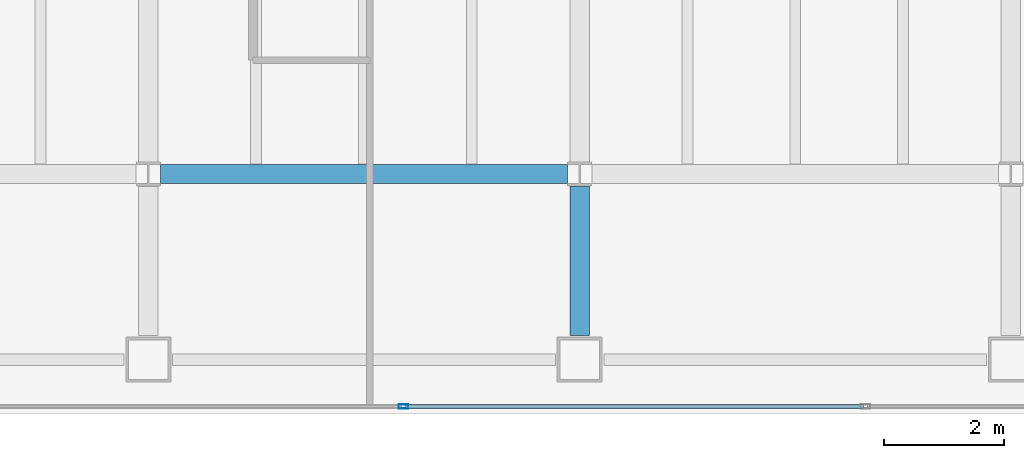
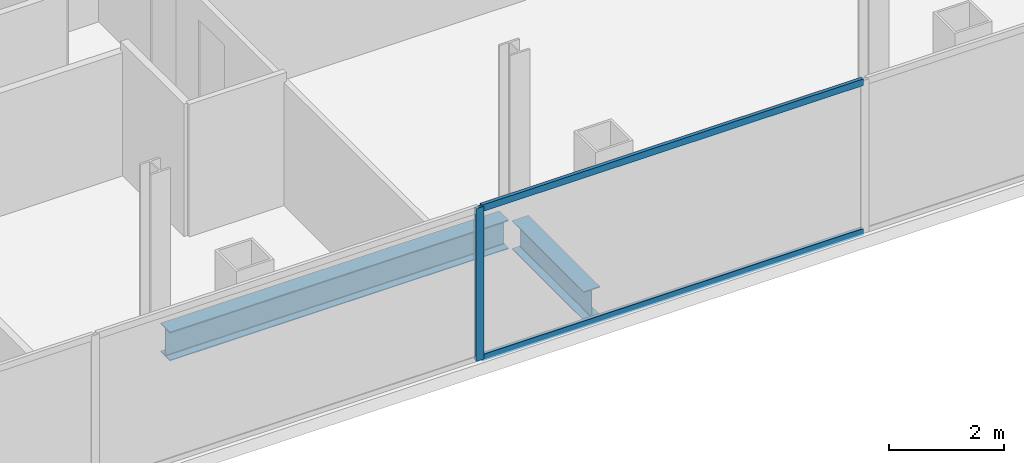
# One storey, part 6 of 23: 3 members, 2 beams, 1 element without a shape of its own.
"""IFC4 building model written with IfcOpenShell, lengths in metres."""

from ifc_helpers import new_model, si_unit, direction, frame, origin, origin_2d, place, context, subcontext, project, spatial, hollow_rectangle, i_section, extrude, material, material_profile, profile_set, type_object, element, aggregate, save


model = new_model("IFC4")

# Units and contexts
model_context = context("Model", 3, precision=1e-05, world=origin(), true_north=direction((0.0, 1.0)))
body_context = subcontext(model_context, "Body", "Model", "MODEL_VIEW")
ifc_project = project(units=[si_unit("LENGTHUNIT", "METRE"), si_unit("AREAUNIT", "SQUARE_METRE"), si_unit("VOLUMEUNIT", "CUBIC_METRE"), si_unit("PLANEANGLEUNIT", "RADIAN"), si_unit("MASSUNIT", "GRAM", prefix="KILO")], contexts=[model_context])

# Site, building, storey
site_placement = place(None, origin())
site = spatial("IfcSite", under=ifc_project, at=site_placement, CompositionType="ELEMENT")
building_placement = place(site_placement, origin())
building = spatial("IfcBuilding", under=site, at=building_placement, Name="Cobrela Telecom Tower", CompositionType="ELEMENT")
storey_placement = place(building_placement, frame((0.0, 0.0, 201.25)))
storey = spatial("IfcBuildingStorey", under=building, at=storey_placement, Name="L51", CompositionType="ELEMENT", Elevation=201.25)

# Beams
ifc_material_1 = material(Name="Steel ASTM A992 Grade 50", Category="steel")
ifc_material_profile_1 = material_profile(ifc_material_1, i_section(OverallWidth=0.324951171875, OverallDepth=0.612060546875, WebThickness=0.0126953125, FlangeThickness=0.01904296875, FilletRadius=0.014892578125, at=origin_2d()), Name="W24X104")
ifc_profile_set_1 = profile_set([ifc_material_profile_1], Name="Steel ASTM A992 Grade 50")
beam_type = type_object("IfcBeamType", Name="BM-GIRD-07", PredefinedType="USERDEFINED", material=ifc_profile_set_1)
beam_1_placement = place(storey_placement, frame((21.804443359375, 7.199951171875, -0.56591796875), z_axis=(1.0, 0.0, 0.0), x_axis=(0.0, 1.0, 0.0)))
element("IfcBeam", 1, at=beam_1_placement, inside=storey, type_object=beam_type, Name="L51 Primary Girder X08", ObjectType="GIRDER", PredefinedType="USERDEFINED", context=body_context, shape_type="SweptSolid", body=[
    extrude(i_section(OverallWidth=0.324951171875, OverallDepth=0.612060546875, WebThickness=0.0126953125, FlangeThickness=0.01904296875, FilletRadius=0.014892578125, at=origin_2d()), origin(), (0.0, 0.0, 1.0), 6.791015625),
])
beam_2_placement = place(storey_placement, frame((28.800048828125, 4.5048828125, -0.56591796875), z_axis=(0.0, 1.0, 0.0), x_axis=(-1.0, 0.0, 0.0)))
element("IfcBeam", 2, at=beam_2_placement, inside=storey, type_object=beam_type, Name="L51 Primary Girder Y36", ObjectType="GIRDER", PredefinedType="USERDEFINED", context=body_context, shape_type="SweptSolid", body=[
    extrude(i_section(OverallWidth=0.324951171875, OverallDepth=0.612060546875, WebThickness=0.0126953125, FlangeThickness=0.01904296875, FilletRadius=0.014892578125, at=origin_2d()), origin(), (0.0, 0.0, 1.0), 2.49072265625),
])

# Curtain wall, members
ifc_material_2 = material(Name="Anodized Bronze Aluminium 6063-T6", Category="aluminium")
curtain_wall_type = type_object("IfcCurtainWallType", Name="CW-SYS-OFF-LO", PredefinedType="USERDEFINED", material=ifc_material_2)
curtain_wall_placement = place(storey_placement, origin())
curtain_wall = element("IfcCurtainWall", 3, at=curtain_wall_placement, inside=storey, type_object=curtain_wall_type, Name="L51 Unitised Bronze Curtain Wall 17", ObjectType="UNITISED CURTAIN WALL", PredefinedType="USERDEFINED")
ifc_material_profile_2 = material_profile(ifc_material_2, hollow_rectangle(XDim=0.070068359375, YDim=0.159912109375, WallThickness=0.00390625, at=origin_2d()), Name="ALU 70x160x4")
ifc_profile_set_2 = profile_set([ifc_material_profile_2], Name="Anodized Bronze Aluminium 6063-T6")
member_type_1 = type_object("IfcMemberType", Name="CW-SYS-OFF-LO-MUL", PredefinedType="MULLION", material=ifc_profile_set_2)
member_1_placement = place(storey_placement, frame((25.85791015625, 3.320068359375, 0.0), z_axis=(0.0, 0.0, 1.0), x_axis=(0.0, -1.0, 0.0)))
member_1 = element("IfcMember", 4, at=member_1_placement, type_object=member_type_1, Name="CW-OFF-LO mullion 3", PredefinedType="MULLION", context=body_context, shape_type="SweptSolid", body=[
    extrude(hollow_rectangle(XDim=0.070068359375, YDim=0.159912109375, WallThickness=0.00390625, at=origin_2d()), origin(), (0.0, 0.0, 1.0), 3.239990234375),
])
ifc_material_profile_3 = material_profile(ifc_material_2, hollow_rectangle(XDim=0.070068359375, YDim=0.139892578125, WallThickness=0.00390625, at=origin_2d()), Name="ALU 70x140x4")
ifc_profile_set_3 = profile_set([ifc_material_profile_3], Name="Anodized Bronze Aluminium 6063-T6")
member_type_2 = type_object("IfcMemberType", Name="CW-SYS-OFF-LO-TRN", PredefinedType="USERDEFINED", material=ifc_profile_set_3)
member_2_placement = place(storey_placement, frame((33.5390625, 3.320068359375, 0.034912109375), z_axis=(-1.0, 0.0, 0.0), x_axis=(0.0, -1.0, 0.0)))
member_2 = element("IfcMember", 5, at=member_2_placement, type_object=member_type_2, Name="CW-OFF-LO transom 2.1", ObjectType="TRANSOM", PredefinedType="USERDEFINED", context=body_context, shape_type="SweptSolid", body=[
    extrude(hollow_rectangle(XDim=0.070068359375, YDim=0.139892578125, WallThickness=0.00390625, at=origin_2d()), origin(), (0.0, 0.0, 1.0), 7.64599609375),
])
member_3_placement = place(storey_placement, frame((33.5390625, 3.320068359375, 3.205078125), z_axis=(-1.0, 0.0, 0.0), x_axis=(0.0, -1.0, 0.0)))
member_3 = element("IfcMember", 6, at=member_3_placement, type_object=member_type_2, Name="CW-OFF-LO transom 2.2", ObjectType="TRANSOM", PredefinedType="USERDEFINED", context=body_context, shape_type="SweptSolid", body=[
    extrude(hollow_rectangle(XDim=0.070068359375, YDim=0.139892578125, WallThickness=0.00390625, at=origin_2d()), origin(), (0.0, 0.0, 1.0), 7.64599609375),
])
aggregate(curtain_wall, [member_1, member_2, member_3])

save(model, "model.ifc")
